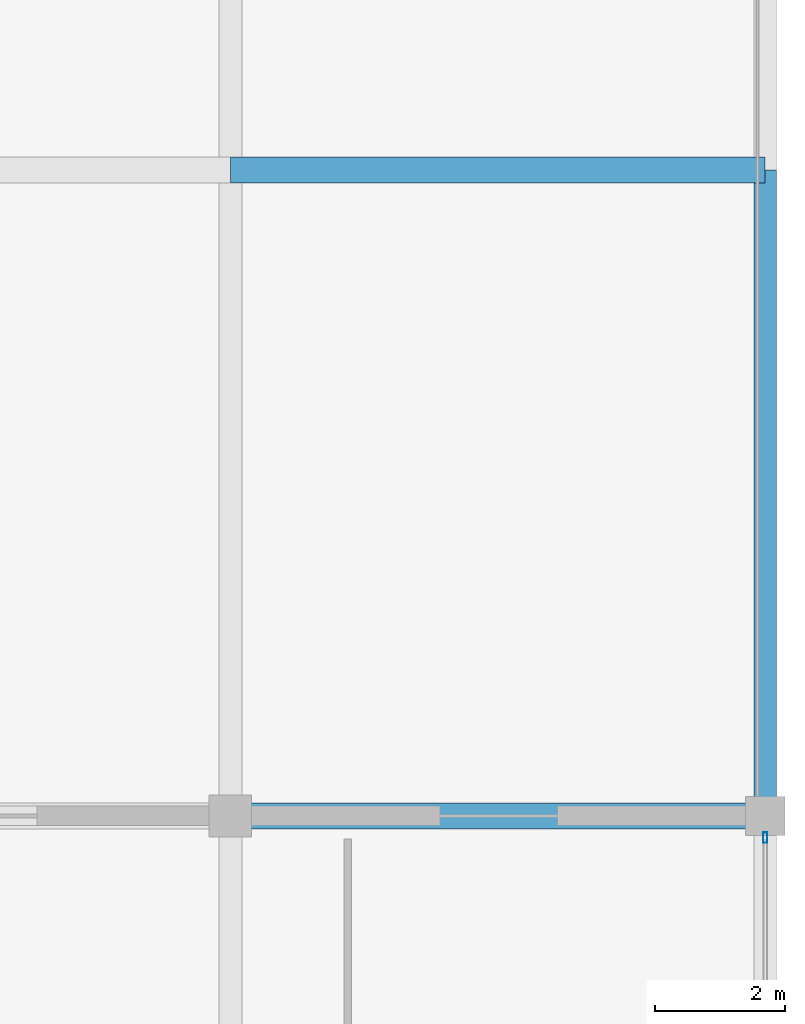
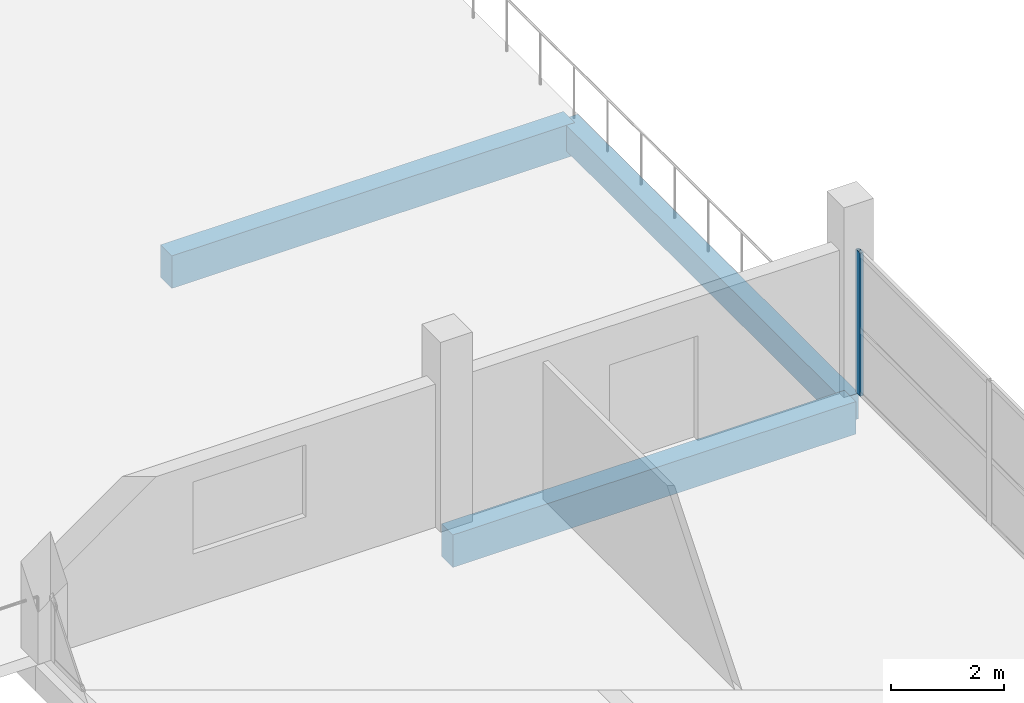
# One storey, part 35 of 53: 3 beams, 1 member, 1 element without a shape of its own.
"""IFC4 building model written with IfcOpenShell, lengths in metres."""

from ifc_helpers import new_model, si_unit, direction, frame, origin, origin_2d, place, context, subcontext, project, spatial, rectangle, hollow_rectangle, extrude, material, layer, layer_set, material_profile, profile_set, type_object, element, aggregate, save


model = new_model("IFC4")

# Units and contexts
model_context = context("Model", 3, precision=1e-05, world=origin(), true_north=direction((0.0, 1.0)))
body_context = subcontext(model_context, "Body", "Model", "MODEL_VIEW")
ifc_project = project(units=[si_unit("LENGTHUNIT", "METRE"), si_unit("AREAUNIT", "SQUARE_METRE"), si_unit("VOLUMEUNIT", "CUBIC_METRE"), si_unit("PLANEANGLEUNIT", "RADIAN"), si_unit("MASSUNIT", "GRAM", prefix="KILO")], contexts=[model_context])

# Site, building, storey
site_placement = place(None, origin())
site = spatial("IfcSite", under=ifc_project, at=site_placement, CompositionType="ELEMENT")
building_placement = place(site_placement, origin())
building = spatial("IfcBuilding", under=site, at=building_placement, Name="Sillaruma Civic Art Gallery", CompositionType="ELEMENT")
storey_placement = place(building_placement, frame((0.0, 0.0, 70.3798828125)))
storey = spatial("IfcBuildingStorey", under=building, at=storey_placement, Name="L14", CompositionType="ELEMENT", Elevation=70.3798828125)

# Beams
ifc_material_1 = material(Name="Concrete H35 (35 MPa)", Category="concrete")
ifc_material_profile_1 = material_profile(ifc_material_1, rectangle(XDim=0.39990234375, YDim=0.699951171875, at=origin_2d()), Name="RCB400x700")
ifc_profile_set_1 = profile_set([ifc_material_profile_1], Name="Concrete H35 (35 MPa)")
beam_type_1 = type_object("IfcBeamType", Name="BM-BEAM-RCB400x700", PredefinedType="BEAM", material=ifc_profile_set_1)
for number, where, z_axis, x_axis, name in (
    (1, (106.199951171875, 69.300048828125, -0.599853515625), (1.0, 0.0, 0.0), (0.0, 1.0, 0.0), "Beam BM-04 (L13:8:M-N)"),
    (2, (106.199951171875, 79.199951171875, -0.599853515625), (1.0, 0.0, 0.0), (0.0, 1.0, 0.0), "Beam BM-04 (L13:9:M-N)"),
):
    element("IfcBeam", number, at=place(storey_placement, frame(where, z_axis=z_axis, x_axis=x_axis)), inside=storey, type_object=beam_type_1, Name=name, PredefinedType="BEAM", context=body_context, shape_type="SweptSolid", body=[
        extrude(rectangle(XDim=0.39990234375, YDim=0.699951171875, at=origin_2d()), origin(), (0.0, 0.0, 1.0), 8.199951171875),
    ])
ifc_material_profile_2 = material_profile(ifc_material_1, rectangle(XDim=0.35009765625, YDim=0.550048828125, at=origin_2d()), Name="RCB350x550")
ifc_profile_set_2 = profile_set([ifc_material_profile_2], Name="Concrete H35 (35 MPa)")
beam_type_2 = type_object("IfcBeamType", Name="BM-SPANDREL-RCB350x550", PredefinedType="SPANDREL", material=ifc_profile_set_2)
beam_placement = place(storey_placement, frame((114.39990234375, 69.300048828125, -0.52490234375), z_axis=(0.0, 1.0, 0.0), x_axis=(-1.0, 0.0, 0.0)))
element("IfcBeam", 3, at=beam_placement, inside=storey, type_object=beam_type_2, Name="Beam BS-04 (L13:N:8-9)", PredefinedType="SPANDREL", context=body_context, shape_type="SweptSolid", body=[
    extrude(rectangle(XDim=0.35009765625, YDim=0.550048828125, at=origin_2d()), origin(), (0.0, 0.0, 1.0), 9.89990234375),
])

# Curtain wall, member
ifc_material_2 = material(Name="Thermally Broken Extruded Aluminium 6063-T6", Category="aluminium")
ifc_layer = layer(ifc_material_2, 0.159912109375, Name="Thermally Broken Extruded Aluminium 6063-T6")
ifc_layer_set = layer_set([ifc_layer], Name="Thermally Broken Extruded Aluminium 6063-T6")
curtain_wall_type = type_object("IfcCurtainWallType", Name="CW-UNI-102", PredefinedType="NOTDEFINED", material=ifc_layer_set)
curtain_wall_placement = place(storey_placement, origin())
curtain_wall = element("IfcCurtainWall", 4, at=curtain_wall_placement, inside=storey, type_object=curtain_wall_type, Name="Unitised Curtain Wall CW-102 (CW-L14-EHH-E3)", PredefinedType="NOTDEFINED")
ifc_material_profile_3 = material_profile(ifc_material_2, hollow_rectangle(XDim=0.06494140625, YDim=0.159912109375, WallThickness=0.00390625, at=origin_2d()), Name="CWM65x160")
ifc_profile_set_3 = profile_set([ifc_material_profile_3], Name="Thermally Broken Extruded Aluminium 6063-T6")
member_type = type_object("IfcMemberType", Name="MEM-MUL-CWM65x160", PredefinedType="MULLION", material=ifc_profile_set_3)
member_placement = place(storey_placement, frame((114.39990234375, 68.967529296875, 0.0), z_axis=(0.0, 0.0, 1.0), x_axis=(-1.0, 0.0, 0.0)))
member = element("IfcMember", 5, at=member_placement, type_object=member_type, Name="CW-102 mullion 3", PredefinedType="MULLION", context=body_context, shape_type="SweptSolid", body=[
    extrude(hollow_rectangle(XDim=0.06494140625, YDim=0.159912109375, WallThickness=0.00390625, at=origin_2d()), origin(), (0.0, 0.0, 1.0), 3.080078125),
])
aggregate(curtain_wall, [member])

save(model, "model.ifc")
